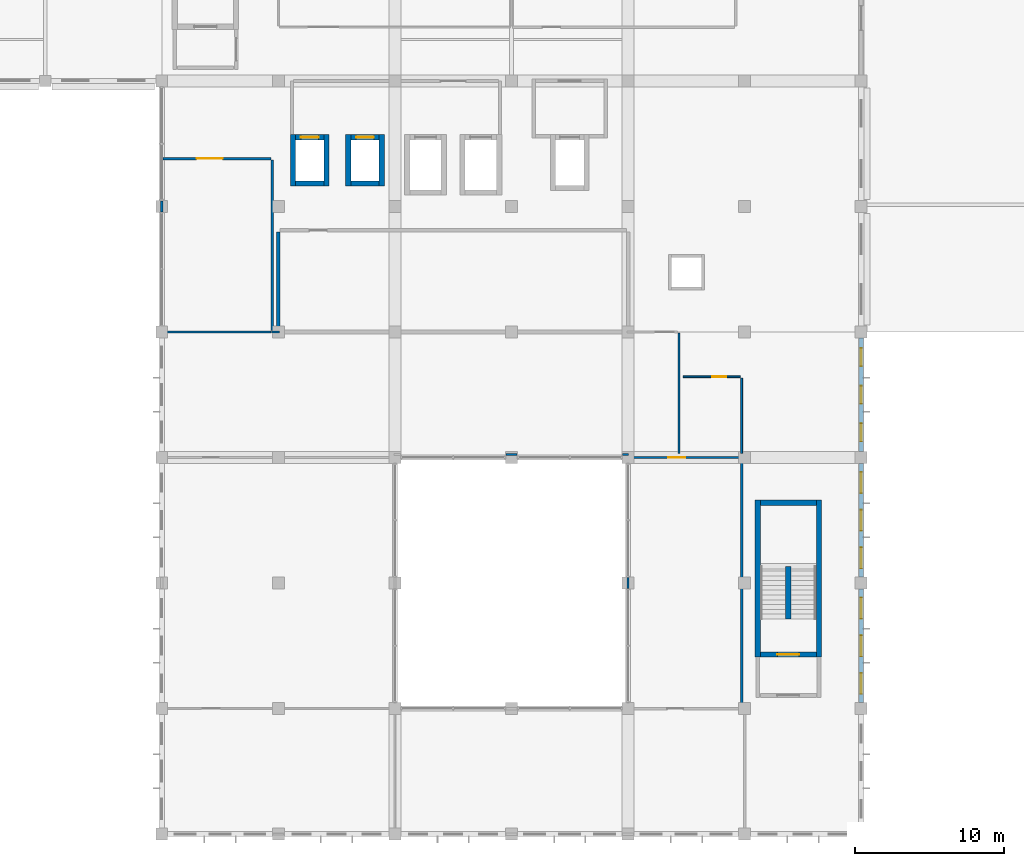
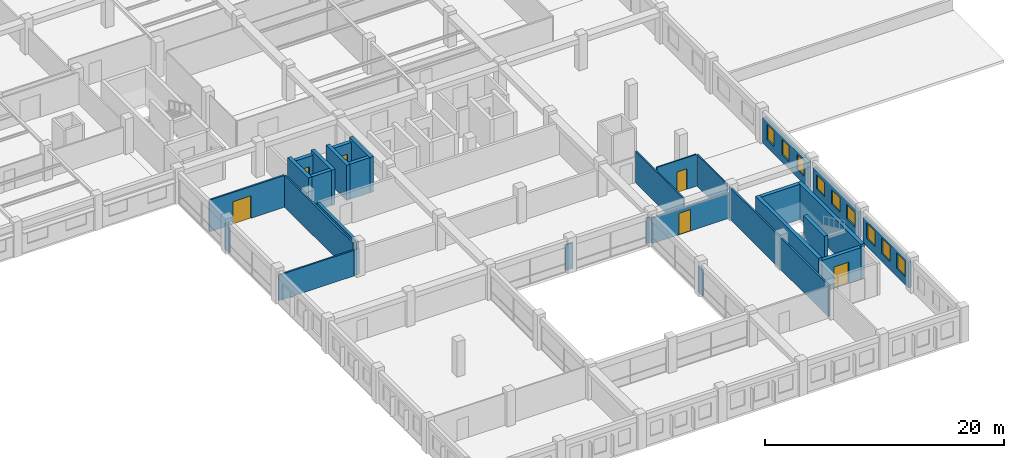
# One storey, part 40 of 50: 30 walls, 9 windows, 6 doors, 15 openings.
"""IFC4 building model written with IfcOpenShell, lengths in metres."""

from ifc_helpers import new_model, si_unit, direction, frame, frame_2d, origin, place, context, subcontext, project, spatial, rectangle, extrude, material, layer, layer_set, type_object, element, fill, save


model = new_model("IFC4")

# Units and contexts
model_context = context("Model", 3, precision=1e-05, world=origin(), true_north=direction((0.0, 1.0)))
body_context = subcontext(model_context, "Body", "Model", "MODEL_VIEW")
ifc_project = project(units=[si_unit("LENGTHUNIT", "METRE"), si_unit("AREAUNIT", "SQUARE_METRE"), si_unit("VOLUMEUNIT", "CUBIC_METRE"), si_unit("PLANEANGLEUNIT", "RADIAN"), si_unit("MASSUNIT", "GRAM", prefix="KILO"), si_unit("THERMODYNAMICTEMPERATUREUNIT", "KELVIN"), si_unit("POWERUNIT", "WATT")], contexts=[model_context])

# Site, building, storey
site_placement = place(None, origin())
site = spatial("IfcSite", under=ifc_project, at=site_placement, CompositionType="ELEMENT")
building_placement = place(site_placement, origin())
building = spatial("IfcBuilding", under=site, at=building_placement, Name="Srebrne Nadtorze General Hospital", CompositionType="ELEMENT")
storey_placement = place(building_placement, frame((0.0, 0.0, 14.39990234375)))
storey = spatial("IfcBuildingStorey", under=building, at=storey_placement, Name="L03", CompositionType="ELEMENT", Elevation=14.39990234375)

# Walls
ifc_material_1 = material(Name="Gypsum Healthcare Partition")
ifc_layer_1 = layer(ifc_material_1, 0.139892578125)
ifc_layer_set_1 = layer_set([ifc_layer_1], Name="Gypsum Healthcare Partition")
wall_type_1 = type_object("IfcWallType", Name="Clinical partition 140", PredefinedType="PARTITIONING", material=ifc_layer_set_1)
wall_1_placement = place(storey_placement, frame((124.43994140625, 25.39990234375, 0.0), z_axis=(0.0, 0.0, 1.0), x_axis=(1.0, 0.0, 0.0)))
element("IfcWall", 1, at=wall_1_placement, inside=storey, type_object=wall_type_1, Name="Outpatient Speech and Audiology Clinic wall WL-INT-L03-1663", PredefinedType="PARTITIONING", context=body_context, shape_type="SweptSolid", body=[
    extrude(rectangle(XDim=0.719970703125, YDim=0.139892578125, at=frame_2d((0.35986328125, 0.0))), origin(), (0.0, 0.0, 1.0), 2.6201171875),
])
wall_2_placement = place(storey_placement, frame((132.239990234375, 25.39990234375, 0.0), z_axis=(0.0, 0.0, 1.0), x_axis=(1.0, 0.0, 0.0)))
element("IfcWall", 2, at=wall_2_placement, inside=storey, type_object=wall_type_1, Name="Outpatient Speech and Audiology Clinic wall WL-INT-L03-1664", PredefinedType="PARTITIONING", context=body_context, shape_type="SweptSolid", body=[
    extrude(rectangle(XDim=0.405029296875, YDim=0.139892578125, at=frame_2d((0.20263671875, 0.0))), origin(), (0.0, 0.0, 1.0), 2.6201171875),
])
wall_3_placement = place(storey_placement, frame((108.7548828125, 33.60009765625, 0.0), z_axis=(0.0, 0.0, 1.0), x_axis=(1.0, 0.0, 0.0)))
element("IfcWall", 3, at=wall_3_placement, inside=storey, type_object=wall_type_1, Name="Outpatient Speech and Audiology Clinic wall WL-INT-L03-1665", PredefinedType="PARTITIONING", context=body_context, shape_type="SweptSolid", body=[
    extrude(rectangle(XDim=0.51513671875, YDim=0.139892578125, at=frame_2d((0.257568359375, 0.0))), origin(), (0.0, 0.0, 1.0), 2.6201171875),
])
wall_4_placement = place(storey_placement, frame((136.0, 25.485107421875, 0.0), z_axis=(0.0, 0.0, 1.0), x_axis=(0.0, 1.0, 0.0)))
element("IfcWall", 4, at=wall_4_placement, inside=storey, type_object=wall_type_1, Name="Outpatient Speech and Audiology Clinic wall WL-INT-L03-1667", PredefinedType="PARTITIONING", context=body_context, shape_type="SweptSolid", body=[
    extrude(rectangle(XDim=8.02978515625, YDim=0.139892578125, at=frame_2d((4.014892578125, 0.0))), origin(), (0.0, 0.0, 1.0), 3.25),
])

# Wall, opening, door
ifc_material_2 = material(Name="Gypsum Healthcare Partition")
ifc_layer_2 = layer(ifc_material_2, 0.159912109375)
ifc_layer_set_2 = layer_set([ifc_layer_2], Name="Gypsum Healthcare Partition")
wall_type_2 = type_object("IfcWallType", Name="Clinical partition 160", PredefinedType="PARTITIONING", material=ifc_layer_set_2)
wall_5_placement = place(storey_placement, frame((132.68505859375, 25.199951171875, 0.0), z_axis=(0.0, 0.0, 1.0), x_axis=(1.0, 0.0, 0.0)))
wall_5 = element("IfcWall", 5, at=wall_5_placement, inside=storey, type_object=wall_type_2, Name="Hospital Aseptic Compounding Laboratory wall WL-INT-L03-1632", PredefinedType="PARTITIONING", context=body_context, shape_type="SweptSolid", body=[
    extrude(rectangle(XDim=7.429931640625, YDim=0.159912109375, at=frame_2d((3.71484375, 0.0))), origin(), (0.0, 0.0, 1.0), 2.6201171875),
])
opening_1_placement = place(wall_5_placement, frame((2.61767578125, 0.0, 0.0)))
opening_1 = element("IfcOpeningElement", 6, at=opening_1_placement, cuts=wall_5, Name="Opening D-L03-0273", PredefinedType="OPENING", context=body_context, shape_type="SweptSolid", body=[
    extrude(rectangle(XDim=1.1201171875, YDim=2.199951171875, at=frame_2d((0.56005859375, 1.10009765625))), frame((0.0, 0.091796875, 0.0), z_axis=(0.0, -1.0, 0.0), x_axis=(1.0, 0.0, 0.0)), (0.0, 0.0, 1.0), 0.183837890625),
])
ifc_material_3 = material(Name="Anodised Aluminium", Category="aluminium")
door_type_1 = type_object("IfcDoorType", Name="Single leaf door 1120x2200", OperationType="NOTDEFINED", PredefinedType="DOOR", material=ifc_material_3)
door_1_placement = place(opening_1_placement, frame((1.1201171875, 0.0, 0.0), z_axis=(0.0, 0.0, 1.0), x_axis=(-1.0, 0.0, 0.0)))
door_1 = element("IfcDoor", 7, at=door_1_placement, inside=storey, type_object=door_type_1, Name="Hospital Aseptic Compounding Laboratory door D-L03-0273", OperationType="SINGLE_SWING_RIGHT", OverallHeight=2.199951171875, OverallWidth=1.1201171875, PredefinedType="DOOR", context=body_context, shape_type="SweptSolid", body=[
    extrude(rectangle(XDim=1.1201171875, YDim=2.199951171875, at=frame_2d((0.56005859375, 1.10009765625))), frame((0.0, 0.02490234375, 0.0), z_axis=(0.0, -1.0, 0.0), x_axis=(1.0, 0.0, 0.0)), (0.0, 0.0, 1.0), 0.050048828125),
])
fill(opening_1, door_1)

# Walls
wall_6_placement = place(storey_placement, frame((132.60009765625, 16.43994140625, 0.0), z_axis=(0.0, 0.0, 1.0), x_axis=(0.0, 1.0, 0.0)))
element("IfcWall", 8, at=wall_6_placement, inside=storey, type_object=wall_type_2, Name="Hospital Aseptic Compounding Laboratory wall WL-INT-L03-1633", PredefinedType="PARTITIONING", context=body_context, shape_type="SweptSolid", body=[
    extrude(rectangle(XDim=0.719970703125, YDim=0.159912109375, at=frame_2d((0.35986328125, 0.0))), origin(), (0.0, 0.0, 1.0), 2.6201171875),
])
wall_7_placement = place(storey_placement, frame((140.199951171875, 8.485107421875, 0.0), z_axis=(0.0, 0.0, 1.0), x_axis=(0.0, 1.0, 0.0)))
element("IfcWall", 9, at=wall_7_placement, inside=storey, type_object=wall_type_2, Name="Hospital Aseptic Compounding Laboratory wall WL-INT-L03-1634", PredefinedType="PARTITIONING", context=body_context, shape_type="SweptSolid", body=[
    extrude(rectangle(XDim=16.6298828125, YDim=0.159912109375, at=frame_2d((8.31494140625, 0.0))), origin(), (0.0, 0.0, 1.0), 3.25),
])

# Wall, opening, door
wall_8_placement = place(storey_placement, frame((101.485107421875, 45.199951171875, 0.0), z_axis=(0.0, 0.0, 1.0), x_axis=(1.0, 0.0, 0.0)))
wall_8 = element("IfcWall", 10, at=wall_8_placement, inside=storey, type_object=wall_type_2, Name="Clinical Electron Microscopy Lab wall WL-INT-L03-1640", PredefinedType="PARTITIONING", context=body_context, shape_type="SweptSolid", body=[
    extrude(rectangle(XDim=7.22998046875, YDim=0.159912109375, at=frame_2d((3.614990234375, 0.0))), origin(), (0.0, 0.0, 1.0), 3.25),
])
opening_2_placement = place(wall_8_placement, frame((2.241943359375, 0.0, 0.0)))
opening_2 = element("IfcOpeningElement", 11, at=opening_2_placement, cuts=wall_8, Name="Opening D-L03-0276", PredefinedType="OPENING", context=body_context, shape_type="SweptSolid", body=[
    extrude(rectangle(XDim=1.75, YDim=2.300048828125, at=frame_2d((0.875, 1.14990234375))), frame((0.0, 0.091796875, 0.0), z_axis=(0.0, -1.0, 0.0), x_axis=(1.0, 0.0, 0.0)), (0.0, 0.0, 1.0), 0.183837890625),
])
ifc_material_4 = material(Name="Anodised Aluminium", Category="aluminium")
door_type_2 = type_object("IfcDoorType", Name="Double leaf door 1750x2300", OperationType="DOUBLE_DOOR_SINGLE_SWING", PredefinedType="DOOR", material=ifc_material_4)
door_2_placement = place(opening_2_placement, frame((1.75, 0.0, 0.0), z_axis=(0.0, 0.0, 1.0), x_axis=(-1.0, 0.0, 0.0)))
door_2 = element("IfcDoor", 12, at=door_2_placement, inside=storey, type_object=door_type_2, Name="Clinical Electron Microscopy Lab door D-L03-0276", OperationType="DOUBLE_DOOR_SINGLE_SWING", OverallHeight=2.300048828125, OverallWidth=1.75, PredefinedType="DOOR", context=body_context, shape_type="SweptSolid", body=[
    extrude(rectangle(XDim=1.75, YDim=2.300048828125, at=frame_2d((0.875, 1.14990234375))), frame((0.0, 0.02490234375, 0.0), z_axis=(0.0, -1.0, 0.0), x_axis=(1.0, 0.0, 0.0)), (0.0, 0.0, 1.0), 0.050048828125),
])
fill(opening_2, door_2)

# Walls
wall_9_placement = place(storey_placement, frame((101.485107421875, 33.60009765625, 0.0), z_axis=(0.0, 0.0, 1.0), x_axis=(1.0, 0.0, 0.0)))
element("IfcWall", 13, at=wall_9_placement, inside=storey, type_object=wall_type_2, Name="Clinical Electron Microscopy Lab wall WL-INT-L03-1641", PredefinedType="PARTITIONING", context=body_context, shape_type="SweptSolid", body=[
    extrude(rectangle(XDim=7.22998046875, YDim=0.159912109375, at=frame_2d((3.614990234375, 0.0))), origin(), (0.0, 0.0, 1.0), 2.6201171875),
])
wall_10_placement = place(storey_placement, frame((101.39990234375, 41.639892578125, 0.0), z_axis=(0.0, 0.0, 1.0), x_axis=(0.0, 1.0, 0.0)))
element("IfcWall", 14, at=wall_10_placement, inside=storey, type_object=wall_type_2, Name="Clinical Electron Microscopy Lab wall WL-INT-L03-1642", PredefinedType="PARTITIONING", context=body_context, shape_type="SweptSolid", body=[
    extrude(rectangle(XDim=0.72021484375, YDim=0.159912109375, at=frame_2d((0.360107421875, 0.0))), origin(), (0.0, 0.0, 1.0), 2.6201171875),
])
wall_11_placement = place(storey_placement, frame((108.800048828125, 33.68505859375, 0.0), z_axis=(0.0, 0.0, 1.0), x_axis=(0.0, 1.0, 0.0)))
element("IfcWall", 15, at=wall_11_placement, inside=storey, type_object=wall_type_2, Name="Clinical Electron Microscopy Lab wall WL-INT-L03-1643", PredefinedType="PARTITIONING", context=body_context, shape_type="SweptSolid", body=[
    extrude(rectangle(XDim=11.429931640625, YDim=0.159912109375, at=frame_2d((5.71484375, 0.0))), origin(), (0.0, 0.0, 1.0), 3.25),
])
ifc_material_5 = material(Name="Gypsum Healthcare Partition")
ifc_layer_3 = layer(ifc_material_5, 0.239990234375)
ifc_layer_set_3 = layer_set([ifc_layer_3], Name="Gypsum Healthcare Partition")
wall_type_3 = type_object("IfcWallType", Name="Corridor fire wall 240", PredefinedType="STANDARD", material=ifc_layer_set_3)
wall_12_placement = place(storey_placement, frame((109.199951171875, 33.7099609375, 0.0), z_axis=(0.0, 0.0, 1.0), x_axis=(0.0, 1.0, 0.0)))
element("IfcWall", 16, at=wall_12_placement, inside=storey, type_object=wall_type_3, Name="Ward Interstitial HVAC Plant Room wall WL-INT-L03-1617", PredefinedType="STANDARD", context=body_context, shape_type="SweptSolid", body=[
    extrude(rectangle(XDim=6.580078125, YDim=0.239990234375, at=frame_2d((3.2900390625, 0.0))), origin(), (0.0, 0.0, 1.0), 3.25),
])

# Wall, opening, door
ifc_material_6 = material(Name="Gypsum Healthcare Partition")
ifc_layer_4 = layer(ifc_material_6, 0.1201171875)
ifc_layer_set_4 = layer_set([ifc_layer_4], Name="Gypsum Healthcare Partition")
wall_type_4 = type_object("IfcWallType", Name="En-suite partition 120", PredefinedType="PARTITIONING", material=ifc_layer_set_4)
wall_13_placement = place(storey_placement, frame((136.284912109375, 30.60009765625, 0.0), z_axis=(0.0, 0.0, 1.0), x_axis=(1.0, 0.0, 0.0)))
wall_13 = element("IfcWall", 17, at=wall_13_placement, inside=storey, type_object=wall_type_4, Name="Staff WC wall WL-INT-L03-1671", PredefinedType="PARTITIONING", context=body_context, shape_type="SweptSolid", body=[
    extrude(rectangle(XDim=3.830078125, YDim=0.1201171875, at=frame_2d((1.9150390625, 0.0))), origin(), (0.0, 0.0, 1.0), 3.25),
])
opening_3_placement = place(wall_13_placement, frame((1.949951171875, 0.0, 0.0)))
opening_3 = element("IfcOpeningElement", 18, at=opening_3_placement, cuts=wall_13, Name="Opening D-L03-0285", PredefinedType="OPENING", context=body_context, shape_type="SweptSolid", body=[
    extrude(rectangle(XDim=0.949951171875, YDim=2.10009765625, at=frame_2d((0.47509765625, 1.050048828125))), frame((0.0, 0.072021484375, 0.0), z_axis=(0.0, -1.0, 0.0), x_axis=(1.0, 0.0, 0.0)), (0.0, 0.0, 1.0), 0.14404296875),
])
ifc_material_7 = material(Name="Anodised Aluminium", Category="aluminium")
door_type_3 = type_object("IfcDoorType", Name="Single leaf door 950x2100", OperationType="NOTDEFINED", PredefinedType="DOOR", material=ifc_material_7)
door_3_placement = place(opening_3_placement, frame((0.949951171875, 0.0, 0.0), z_axis=(0.0, 0.0, 1.0), x_axis=(-1.0, 0.0, 0.0)))
door_3 = element("IfcDoor", 19, at=door_3_placement, inside=storey, type_object=door_type_3, Name="Staff WC door D-L03-0285", OperationType="SINGLE_SWING_LEFT", OverallHeight=2.10009765625, OverallWidth=0.949951171875, PredefinedType="DOOR", context=body_context, shape_type="SweptSolid", body=[
    extrude(rectangle(XDim=0.949951171875, YDim=2.10009765625, at=frame_2d((0.47509765625, 1.050048828125))), frame((0.0, 0.02490234375, 0.0), z_axis=(0.0, -1.0, 0.0), x_axis=(1.0, 0.0, 0.0)), (0.0, 0.0, 1.0), 0.050048828125),
])
fill(opening_3, door_3)

# Wall
wall_14_placement = place(storey_placement, frame((140.199951171875, 25.485107421875, 0.0), z_axis=(0.0, 0.0, 1.0), x_axis=(0.0, 1.0, 0.0)))
element("IfcWall", 20, at=wall_14_placement, inside=storey, type_object=wall_type_4, Name="Staff WC wall WL-INT-L03-1672", PredefinedType="PARTITIONING", context=body_context, shape_type="SweptSolid", body=[
    extrude(rectangle(XDim=5.02978515625, YDim=0.1201171875, at=frame_2d((2.514892578125, 0.0))), origin(), (0.0, 0.0, 1.0), 3.25),
])

# Wall, openings, windows
ifc_material_8 = material(Name="Concrete C40/50 precast", Category="concrete")
ifc_layer_5 = layer(ifc_material_8, 0.300048828125)
ifc_layer_set_5 = layer_set([ifc_layer_5], Name="Concrete C40/50 precast")
wall_type_5 = type_object("IfcWallType", Name="Limestone precast wall 300", PredefinedType="STANDARD", material=ifc_layer_set_5)
wall_15_placement = place(storey_placement, frame((148.199951171875, 8.800048828125, 0.0), z_axis=(0.0, 0.0, 1.0), x_axis=(0.0, 1.0, 0.0)))
wall_15 = element("IfcWall", 21, at=wall_15_placement, inside=storey, type_object=wall_type_5, Name="Exterior wall WL-ENV-L03-0334", PredefinedType="STANDARD", context=body_context, shape_type="SweptSolid", body=[
    extrude(rectangle(XDim=7.599853515625, YDim=0.300048828125, at=frame_2d((3.7998046875, 0.0))), origin(), (0.0, 0.0, 1.0), 2.6201171875),
])
opening_4_placement = place(wall_15_placement, frame((0.580078125, 0.0, 0.800048828125)))
opening_4 = element("IfcOpeningElement", 22, at=opening_4_placement, cuts=wall_15, Name="Opening WN-L03-0488", PredefinedType="OPENING", context=body_context, shape_type="SweptSolid", body=[
    extrude(rectangle(XDim=1.39990234375, YDim=1.60009765625, at=frame_2d((0.699951171875, 0.800048828125))), frame((0.0, 0.162109375, 0.0), z_axis=(0.0, -1.0, 0.0), x_axis=(1.0, 0.0, 0.0)), (0.0, 0.0, 1.0), 0.323974609375),
])
opening_5_placement = place(wall_15_placement, frame((3.10009765625, 0.0, 0.800048828125)))
opening_5 = element("IfcOpeningElement", 23, at=opening_5_placement, cuts=wall_15, Name="Opening WN-L03-0489", PredefinedType="OPENING", context=body_context, shape_type="SweptSolid", body=[
    extrude(rectangle(XDim=1.39990234375, YDim=1.60009765625, at=frame_2d((0.699951171875, 0.800048828125))), frame((0.0, 0.162109375, 0.0), z_axis=(0.0, -1.0, 0.0), x_axis=(1.0, 0.0, 0.0)), (0.0, 0.0, 1.0), 0.323974609375),
])
opening_6_placement = place(wall_15_placement, frame((5.6201171875, 0.0, 0.800048828125)))
opening_6 = element("IfcOpeningElement", 24, at=opening_6_placement, cuts=wall_15, Name="Opening WN-L03-0490", PredefinedType="OPENING", context=body_context, shape_type="SweptSolid", body=[
    extrude(rectangle(XDim=1.39990234375, YDim=1.60009765625, at=frame_2d((0.699951171875, 0.800048828125))), frame((0.0, 0.162109375, 0.0), z_axis=(0.0, -1.0, 0.0), x_axis=(1.0, 0.0, 0.0)), (0.0, 0.0, 1.0), 0.323974609375),
])
ifc_material_9 = material(Name="Triple Low-E Glazing", Category="glass")
window_type_1 = type_object("IfcWindowType", Name="Punched clinical window 1400x1600", PartitioningType="SINGLE_PANEL", PredefinedType="WINDOW", material=ifc_material_9)
window_1_placement = place(opening_4_placement, origin())
window_1 = element("IfcWindow", 25, at=window_1_placement, inside=storey, type_object=window_type_1, Name="Clinical window WN-L03-0488", OverallHeight=1.60009765625, OverallWidth=1.39990234375, PartitioningType="SINGLE_PANEL", PredefinedType="WINDOW", context=body_context, shape_type="SweptSolid", body=[
    extrude(rectangle(XDim=1.39990234375, YDim=1.60009765625, at=frame_2d((0.699951171875, 0.800048828125))), frame((0.0, 0.030029296875, 0.0), z_axis=(0.0, -1.0, 0.0), x_axis=(1.0, 0.0, 0.0)), (0.0, 0.0, 1.0), 0.06005859375),
])
fill(opening_4, window_1)
window_2_placement = place(opening_5_placement, origin())
window_2 = element("IfcWindow", 26, at=window_2_placement, inside=storey, type_object=window_type_1, Name="Clinical window WN-L03-0489", OverallHeight=1.60009765625, OverallWidth=1.39990234375, PartitioningType="SINGLE_PANEL", PredefinedType="WINDOW", context=body_context, shape_type="SweptSolid", body=[
    extrude(rectangle(XDim=1.39990234375, YDim=1.60009765625, at=frame_2d((0.699951171875, 0.800048828125))), frame((0.0, 0.030029296875, 0.0), z_axis=(0.0, -1.0, 0.0), x_axis=(1.0, 0.0, 0.0)), (0.0, 0.0, 1.0), 0.06005859375),
])
fill(opening_5, window_2)
window_3_placement = place(opening_6_placement, origin())
window_3 = element("IfcWindow", 27, at=window_3_placement, inside=storey, type_object=window_type_1, Name="Clinical window WN-L03-0490", OverallHeight=1.60009765625, OverallWidth=1.39990234375, PartitioningType="SINGLE_PANEL", PredefinedType="WINDOW", context=body_context, shape_type="SweptSolid", body=[
    extrude(rectangle(XDim=1.39990234375, YDim=1.60009765625, at=frame_2d((0.699951171875, 0.800048828125))), frame((0.0, 0.030029296875, 0.0), z_axis=(0.0, -1.0, 0.0), x_axis=(1.0, 0.0, 0.0)), (0.0, 0.0, 1.0), 0.06005859375),
])
fill(opening_6, window_3)

wall_16_placement = place(storey_placement, frame((148.199951171875, 17.199951171875, 0.0), z_axis=(0.0, 0.0, 1.0), x_axis=(0.0, 1.0, 0.0)))
wall_16 = element("IfcWall", 28, at=wall_16_placement, inside=storey, type_object=wall_type_5, Name="Exterior wall WL-ENV-L03-0335", PredefinedType="STANDARD", context=body_context, shape_type="SweptSolid", body=[
    extrude(rectangle(XDim=7.60009765625, YDim=0.300048828125, at=frame_2d((3.800048828125, 0.0))), origin(), (0.0, 0.0, 1.0), 2.6201171875),
])
opening_7_placement = place(wall_16_placement, frame((0.580078125, 0.0, 0.800048828125)))
opening_7 = element("IfcOpeningElement", 29, at=opening_7_placement, cuts=wall_16, Name="Opening WN-L03-0491", PredefinedType="OPENING", context=body_context, shape_type="SweptSolid", body=[
    extrude(rectangle(XDim=1.39990234375, YDim=1.449951171875, at=frame_2d((0.699951171875, 0.72509765625))), frame((0.0, 0.162109375, 0.0), z_axis=(0.0, -1.0, 0.0), x_axis=(1.0, 0.0, 0.0)), (0.0, 0.0, 1.0), 0.323974609375),
])
opening_8_placement = place(wall_16_placement, frame((3.10009765625, 0.0, 0.800048828125)))
opening_8 = element("IfcOpeningElement", 30, at=opening_8_placement, cuts=wall_16, Name="Opening WN-L03-0492", PredefinedType="OPENING", context=body_context, shape_type="SweptSolid", body=[
    extrude(rectangle(XDim=1.39990234375, YDim=1.449951171875, at=frame_2d((0.699951171875, 0.72509765625))), frame((0.0, 0.162109375, 0.0), z_axis=(0.0, -1.0, 0.0), x_axis=(1.0, 0.0, 0.0)), (0.0, 0.0, 1.0), 0.323974609375),
])
opening_9_placement = place(wall_16_placement, frame((5.6201171875, 0.0, 0.800048828125)))
opening_9 = element("IfcOpeningElement", 31, at=opening_9_placement, cuts=wall_16, Name="Opening WN-L03-0493", PredefinedType="OPENING", context=body_context, shape_type="SweptSolid", body=[
    extrude(rectangle(XDim=1.39990234375, YDim=1.449951171875, at=frame_2d((0.699951171875, 0.72509765625))), frame((0.0, 0.162109375, 0.0), z_axis=(0.0, -1.0, 0.0), x_axis=(1.0, 0.0, 0.0)), (0.0, 0.0, 1.0), 0.323974609375),
])
ifc_material_10 = material(Name="Triple Low-E Glazing", Category="glass")
window_type_2 = type_object("IfcWindowType", Name="Punched clinical window 1400x1450", PartitioningType="SINGLE_PANEL", PredefinedType="WINDOW", material=ifc_material_10)
window_4_placement = place(opening_7_placement, origin())
window_4 = element("IfcWindow", 32, at=window_4_placement, inside=storey, type_object=window_type_2, Name="Clinical window WN-L03-0491", OverallHeight=1.449951171875, OverallWidth=1.39990234375, PartitioningType="SINGLE_PANEL", PredefinedType="WINDOW", context=body_context, shape_type="SweptSolid", body=[
    extrude(rectangle(XDim=1.39990234375, YDim=1.449951171875, at=frame_2d((0.699951171875, 0.72509765625))), frame((0.0, 0.030029296875, 0.0), z_axis=(0.0, -1.0, 0.0), x_axis=(1.0, 0.0, 0.0)), (0.0, 0.0, 1.0), 0.06005859375),
])
fill(opening_7, window_4)
window_5_placement = place(opening_8_placement, origin())
window_5 = element("IfcWindow", 33, at=window_5_placement, inside=storey, type_object=window_type_2, Name="Clinical window WN-L03-0492", OverallHeight=1.449951171875, OverallWidth=1.39990234375, PartitioningType="SINGLE_PANEL", PredefinedType="WINDOW", context=body_context, shape_type="SweptSolid", body=[
    extrude(rectangle(XDim=1.39990234375, YDim=1.449951171875, at=frame_2d((0.699951171875, 0.72509765625))), frame((0.0, 0.030029296875, 0.0), z_axis=(0.0, -1.0, 0.0), x_axis=(1.0, 0.0, 0.0)), (0.0, 0.0, 1.0), 0.06005859375),
])
fill(opening_8, window_5)
window_6_placement = place(opening_9_placement, origin())
window_6 = element("IfcWindow", 34, at=window_6_placement, inside=storey, type_object=window_type_2, Name="Clinical window WN-L03-0493", OverallHeight=1.449951171875, OverallWidth=1.39990234375, PartitioningType="SINGLE_PANEL", PredefinedType="WINDOW", context=body_context, shape_type="SweptSolid", body=[
    extrude(rectangle(XDim=1.39990234375, YDim=1.449951171875, at=frame_2d((0.699951171875, 0.72509765625))), frame((0.0, 0.030029296875, 0.0), z_axis=(0.0, -1.0, 0.0), x_axis=(1.0, 0.0, 0.0)), (0.0, 0.0, 1.0), 0.06005859375),
])
fill(opening_9, window_6)

wall_17_placement = place(storey_placement, frame((148.199951171875, 25.60009765625, 0.0), z_axis=(0.0, 0.0, 1.0), x_axis=(0.0, 1.0, 0.0)))
wall_17 = element("IfcWall", 35, at=wall_17_placement, inside=storey, type_object=wall_type_5, Name="Exterior wall WL-ENV-L03-0336", PredefinedType="STANDARD", context=body_context, shape_type="SweptSolid", body=[
    extrude(rectangle(XDim=7.599853515625, YDim=0.300048828125, at=frame_2d((3.7998046875, 0.0))), origin(), (0.0, 0.0, 1.0), 2.6201171875),
])
opening_10_placement = place(wall_17_placement, frame((0.679931640625, 0.0, 0.800048828125)))
opening_10 = element("IfcOpeningElement", 36, at=opening_10_placement, cuts=wall_17, Name="Opening WN-L03-0494", PredefinedType="OPENING", context=body_context, shape_type="SweptSolid", body=[
    extrude(rectangle(XDim=1.199951171875, YDim=1.550048828125, at=frame_2d((0.60009765625, 0.77490234375))), frame((0.0, 0.162109375, 0.0), z_axis=(0.0, -1.0, 0.0), x_axis=(1.0, 0.0, 0.0)), (0.0, 0.0, 1.0), 0.323974609375),
])
opening_11_placement = place(wall_17_placement, frame((3.199951171875, 0.0, 0.800048828125)))
opening_11 = element("IfcOpeningElement", 37, at=opening_11_placement, cuts=wall_17, Name="Opening WN-L03-0495", PredefinedType="OPENING", context=body_context, shape_type="SweptSolid", body=[
    extrude(rectangle(XDim=1.199951171875, YDim=1.550048828125, at=frame_2d((0.60009765625, 0.77490234375))), frame((0.0, 0.162109375, 0.0), z_axis=(0.0, -1.0, 0.0), x_axis=(1.0, 0.0, 0.0)), (0.0, 0.0, 1.0), 0.323974609375),
])
opening_12_placement = place(wall_17_placement, frame((5.719970703125, 0.0, 0.800048828125)))
opening_12 = element("IfcOpeningElement", 38, at=opening_12_placement, cuts=wall_17, Name="Opening WN-L03-0496", PredefinedType="OPENING", context=body_context, shape_type="SweptSolid", body=[
    extrude(rectangle(XDim=1.199951171875, YDim=1.550048828125, at=frame_2d((0.60009765625, 0.77490234375))), frame((0.0, 0.162109375, 0.0), z_axis=(0.0, -1.0, 0.0), x_axis=(1.0, 0.0, 0.0)), (0.0, 0.0, 1.0), 0.323974609375),
])
ifc_material_11 = material(Name="Triple Low-E Glazing", Category="glass")
window_type_3 = type_object("IfcWindowType", Name="Punched clinical window 1200x1550", PartitioningType="SINGLE_PANEL", PredefinedType="WINDOW", material=ifc_material_11)
window_7_placement = place(opening_10_placement, origin())
window_7 = element("IfcWindow", 39, at=window_7_placement, inside=storey, type_object=window_type_3, Name="Clinical window WN-L03-0494", OverallHeight=1.550048828125, OverallWidth=1.199951171875, PartitioningType="SINGLE_PANEL", PredefinedType="WINDOW", context=body_context, shape_type="SweptSolid", body=[
    extrude(rectangle(XDim=1.199951171875, YDim=1.550048828125, at=frame_2d((0.60009765625, 0.77490234375))), frame((0.0, 0.030029296875, 0.0), z_axis=(0.0, -1.0, 0.0), x_axis=(1.0, 0.0, 0.0)), (0.0, 0.0, 1.0), 0.06005859375),
])
fill(opening_10, window_7)
window_8_placement = place(opening_11_placement, origin())
window_8 = element("IfcWindow", 40, at=window_8_placement, inside=storey, type_object=window_type_3, Name="Clinical window WN-L03-0495", OverallHeight=1.550048828125, OverallWidth=1.199951171875, PartitioningType="SINGLE_PANEL", PredefinedType="WINDOW", context=body_context, shape_type="SweptSolid", body=[
    extrude(rectangle(XDim=1.199951171875, YDim=1.550048828125, at=frame_2d((0.60009765625, 0.77490234375))), frame((0.0, 0.030029296875, 0.0), z_axis=(0.0, -1.0, 0.0), x_axis=(1.0, 0.0, 0.0)), (0.0, 0.0, 1.0), 0.06005859375),
])
fill(opening_11, window_8)
window_9_placement = place(opening_12_placement, origin())
window_9 = element("IfcWindow", 41, at=window_9_placement, inside=storey, type_object=window_type_3, Name="Clinical window WN-L03-0496", OverallHeight=1.550048828125, OverallWidth=1.199951171875, PartitioningType="SINGLE_PANEL", PredefinedType="WINDOW", context=body_context, shape_type="SweptSolid", body=[
    extrude(rectangle(XDim=1.199951171875, YDim=1.550048828125, at=frame_2d((0.60009765625, 0.77490234375))), frame((0.0, 0.030029296875, 0.0), z_axis=(0.0, -1.0, 0.0), x_axis=(1.0, 0.0, 0.0)), (0.0, 0.0, 1.0), 0.06005859375),
])
fill(opening_12, window_9)

# Walls
ifc_material_12 = material(Name="Concrete C40/50", Category="concrete")
ifc_layer_6 = layer(ifc_material_12, 0.35009765625)
ifc_layer_set_6 = layer_set([ifc_layer_6], Name="Concrete C40/50")
wall_type_6 = type_object("IfcWallType", Name="Shear core wall 350", PredefinedType="SHEAR", material=ifc_layer_set_6)
for number, where, z_axis, x_axis, name in (
    (42, (141.27490234375, 11.85009765625, 0.0), (0.0, 0.0, 1.0), (0.0, 1.0, 0.0), "Stair core wall ST-08 WL-INT-L03-0281"),
    (43, (145.375, 11.85009765625, 0.0), (0.0, 0.0, 1.0), (0.0, 1.0, 0.0), "Stair core wall ST-08 WL-INT-L03-0282"),
):
    element("IfcWall", number, at=place(storey_placement, frame(where, z_axis=z_axis, x_axis=x_axis)), inside=storey, type_object=wall_type_6, Name=name, PredefinedType="SHEAR", context=body_context, shape_type="SweptSolid", body=[
        extrude(rectangle(XDim=10.5, YDim=0.35009765625, at=frame_2d((5.25, 0.0))), origin(), (0.0, 0.0, 1.0), 3.60009765625),
    ])
wall_18_placement = place(storey_placement, frame((141.449951171875, 22.175048828125, 0.0), z_axis=(0.0, 0.0, 1.0), x_axis=(1.0, 0.0, 0.0)))
element("IfcWall", 44, at=wall_18_placement, inside=storey, type_object=wall_type_6, Name="Stair core wall ST-08 WL-INT-L03-0283", PredefinedType="SHEAR", context=body_context, shape_type="SweptSolid", body=[
    extrude(rectangle(XDim=3.75, YDim=0.35009765625, at=frame_2d((1.875, 0.0))), origin(), (0.0, 0.0, 1.0), 3.60009765625),
])

# Wall, opening, door
wall_19_placement = place(storey_placement, frame((141.449951171875, 12.02490234375, 0.0), z_axis=(0.0, 0.0, 1.0), x_axis=(1.0, 0.0, 0.0)))
wall_19 = element("IfcWall", 45, at=wall_19_placement, inside=storey, type_object=wall_type_6, Name="Stairwell fire wall ST-08 WL-INT-L03-0284", PredefinedType="SHEAR", context=body_context, shape_type="SweptSolid", body=[
    extrude(rectangle(XDim=3.75, YDim=0.35009765625, at=frame_2d((1.875, 0.0))), origin(), (0.0, 0.0, 1.0), 3.27001953125),
])
opening_13_placement = place(wall_19_placement, frame((1.14990234375, 0.0, 0.0)))
opening_13 = element("IfcOpeningElement", 46, at=opening_13_placement, cuts=wall_19, Name="Opening D-L03-0071", PredefinedType="OPENING", context=body_context, shape_type="SweptSolid", body=[
    extrude(rectangle(XDim=1.449951171875, YDim=2.199951171875, at=frame_2d((0.72509765625, 1.10009765625))), frame((0.0, 0.18701171875, 0.0), z_axis=(0.0, -1.0, 0.0), x_axis=(1.0, 0.0, 0.0)), (0.0, 0.0, 1.0), 0.3740234375),
])
ifc_material_13 = material(Name="Anodised Aluminium", Category="aluminium")
door_type_4 = type_object("IfcDoorType", Name="Double leaf door 1450x2200", OperationType="DOUBLE_DOOR_SINGLE_SWING", PredefinedType="DOOR", material=ifc_material_13)
door_4_placement = place(opening_13_placement, origin())
door_4 = element("IfcDoor", 47, at=door_4_placement, inside=storey, type_object=door_type_4, Name="Protected stair door ST-08 D-L03-0071", OperationType="DOUBLE_DOOR_SINGLE_SWING", OverallHeight=2.199951171875, OverallWidth=1.449951171875, PredefinedType="DOOR", context=body_context, shape_type="SweptSolid", body=[
    extrude(rectangle(XDim=1.449951171875, YDim=2.199951171875, at=frame_2d((0.72509765625, 1.10009765625))), frame((0.0, 0.02490234375, 0.0), z_axis=(0.0, -1.0, 0.0), x_axis=(1.0, 0.0, 0.0)), (0.0, 0.0, 1.0), 0.050048828125),
])
fill(opening_13, door_4)

# Walls
wall_20_placement = place(storey_placement, frame((143.324951171875, 14.39990234375, 0.0), z_axis=(0.0, 0.0, 1.0), x_axis=(0.0, 1.0, 0.0)))
element("IfcWall", 48, at=wall_20_placement, inside=storey, type_object=wall_type_6, Name="Stair spine wall ST-08 WL-INT-L03-0288", PredefinedType="SHEAR", context=body_context, shape_type="SweptSolid", body=[
    extrude(rectangle(XDim=3.52001953125, YDim=0.35009765625, at=frame_2d((1.760009765625, 0.0))), origin(), (0.0, 0.0, 1.0), 3.60009765625),
])
for number, where, z_axis, x_axis, name in (
    (49, (110.175048828125, 43.360107421875, 0.0), (0.0, 0.0, 1.0), (0.0, 1.0, 0.0), "Lift shaft wall LP-03 WL-INT-L03-0714"),
    (50, (112.425048828125, 43.360107421875, 0.0), (0.0, 0.0, 1.0), (0.0, 1.0, 0.0), "Lift shaft wall LP-03 WL-INT-L03-0715"),
):
    element("IfcWall", number, at=place(storey_placement, frame(where, z_axis=z_axis, x_axis=x_axis)), inside=storey, type_object=wall_type_6, Name=name, PredefinedType="SHEAR", context=body_context, shape_type="SweptSolid", body=[
        extrude(rectangle(XDim=3.449951171875, YDim=0.35009765625, at=frame_2d((1.72509765625, 0.0))), origin(), (0.0, 0.0, 1.0), 3.60009765625),
    ])
wall_21_placement = place(storey_placement, frame((110.35009765625, 43.534912109375, 0.0), z_axis=(0.0, 0.0, 1.0), x_axis=(1.0, 0.0, 0.0)))
element("IfcWall", 51, at=wall_21_placement, inside=storey, type_object=wall_type_6, Name="Lift shaft back wall LP-03 WL-INT-L03-0716", PredefinedType="SHEAR", context=body_context, shape_type="SweptSolid", body=[
    extrude(rectangle(XDim=1.89990234375, YDim=0.35009765625, at=frame_2d((0.949951171875, 0.0))), origin(), (0.0, 0.0, 1.0), 3.60009765625),
])

# Wall, opening, door
wall_22_placement = place(storey_placement, frame((110.35009765625, 46.635009765625, 0.0), z_axis=(0.0, 0.0, 1.0), x_axis=(1.0, 0.0, 0.0)))
wall_22 = element("IfcWall", 52, at=wall_22_placement, inside=storey, type_object=wall_type_6, Name="Lift shaft front wall LP-03 WL-INT-L03-0717", PredefinedType="SHEAR", context=body_context, shape_type="SweptSolid", body=[
    extrude(rectangle(XDim=1.89990234375, YDim=0.35009765625, at=frame_2d((0.949951171875, 0.0))), origin(), (0.0, 0.0, 1.0), 3.27001953125),
])
opening_14_placement = place(wall_22_placement, frame((0.35009765625, 0.0, 0.0)))
opening_14 = element("IfcOpeningElement", 53, at=opening_14_placement, cuts=wall_22, Name="Opening LD-L03-063", PredefinedType="OPENING", context=body_context, shape_type="SweptSolid", body=[
    extrude(rectangle(XDim=1.199951171875, YDim=2.199951171875, at=frame_2d((0.60009765625, 1.10009765625))), frame((0.0, 0.18701171875, 0.0), z_axis=(0.0, -1.0, 0.0), x_axis=(1.0, 0.0, 0.0)), (0.0, 0.0, 1.0), 0.3740234375),
])
ifc_material_14 = material(Name="Anodised Aluminium", Category="aluminium")
door_type_5 = type_object("IfcDoorType", Name="Sliding lift door 1200x2200", OperationType="SLIDING_TO_LEFT", PredefinedType="DOOR", material=ifc_material_14)
door_5_placement = place(opening_14_placement, origin())
door_5 = element("IfcDoor", 54, at=door_5_placement, inside=storey, type_object=door_type_5, Name="Lift Landing Door LD-L03-063", OperationType="SLIDING_TO_LEFT", OverallHeight=2.199951171875, OverallWidth=1.199951171875, PredefinedType="DOOR", context=body_context, shape_type="SweptSolid", body=[
    extrude(rectangle(XDim=1.199951171875, YDim=2.199951171875, at=frame_2d((0.60009765625, 1.10009765625))), frame((0.0, 0.02490234375, 0.0), z_axis=(0.0, -1.0, 0.0), x_axis=(1.0, 0.0, 0.0)), (0.0, 0.0, 1.0), 0.050048828125),
])
fill(opening_14, door_5)

# Walls
for number, where, z_axis, x_axis, name in (
    (55, (113.875, 43.360107421875, 0.0), (0.0, 0.0, 1.0), (0.0, 1.0, 0.0), "Lift shaft wall LP-04 WL-INT-L03-0746"),
    (56, (116.125, 43.360107421875, 0.0), (0.0, 0.0, 1.0), (0.0, 1.0, 0.0), "Lift shaft wall LP-04 WL-INT-L03-0747"),
):
    element("IfcWall", number, at=place(storey_placement, frame(where, z_axis=z_axis, x_axis=x_axis)), inside=storey, type_object=wall_type_6, Name=name, PredefinedType="SHEAR", context=body_context, shape_type="SweptSolid", body=[
        extrude(rectangle(XDim=3.449951171875, YDim=0.35009765625, at=frame_2d((1.72509765625, 0.0))), origin(), (0.0, 0.0, 1.0), 3.60009765625),
    ])
wall_23_placement = place(storey_placement, frame((114.050048828125, 43.534912109375, 0.0), z_axis=(0.0, 0.0, 1.0), x_axis=(1.0, 0.0, 0.0)))
element("IfcWall", 57, at=wall_23_placement, inside=storey, type_object=wall_type_6, Name="Lift shaft back wall LP-04 WL-INT-L03-0748", PredefinedType="SHEAR", context=body_context, shape_type="SweptSolid", body=[
    extrude(rectangle(XDim=1.89990234375, YDim=0.35009765625, at=frame_2d((0.949951171875, 0.0))), origin(), (0.0, 0.0, 1.0), 3.60009765625),
])

# Wall, opening, door
wall_24_placement = place(storey_placement, frame((114.050048828125, 46.635009765625, 0.0), z_axis=(0.0, 0.0, 1.0), x_axis=(1.0, 0.0, 0.0)))
wall_24 = element("IfcWall", 58, at=wall_24_placement, inside=storey, type_object=wall_type_6, Name="Lift shaft front wall LP-04 WL-INT-L03-0749", PredefinedType="SHEAR", context=body_context, shape_type="SweptSolid", body=[
    extrude(rectangle(XDim=1.89990234375, YDim=0.35009765625, at=frame_2d((0.949951171875, 0.0))), origin(), (0.0, 0.0, 1.0), 3.27001953125),
])
opening_15_placement = place(wall_24_placement, frame((0.35009765625, 0.0, 0.0)))
opening_15 = element("IfcOpeningElement", 59, at=opening_15_placement, cuts=wall_24, Name="Opening LD-L03-071", PredefinedType="OPENING", context=body_context, shape_type="SweptSolid", body=[
    extrude(rectangle(XDim=1.199951171875, YDim=2.199951171875, at=frame_2d((0.60009765625, 1.10009765625))), frame((0.0, 0.18701171875, 0.0), z_axis=(0.0, -1.0, 0.0), x_axis=(1.0, 0.0, 0.0)), (0.0, 0.0, 1.0), 0.3740234375),
])
door_6_placement = place(opening_15_placement, origin())
door_6 = element("IfcDoor", 60, at=door_6_placement, inside=storey, type_object=door_type_5, Name="Lift Landing Door LD-L03-071", OperationType="SLIDING_TO_LEFT", OverallHeight=2.199951171875, OverallWidth=1.199951171875, PredefinedType="DOOR", context=body_context, shape_type="SweptSolid", body=[
    extrude(rectangle(XDim=1.199951171875, YDim=2.199951171875, at=frame_2d((0.60009765625, 1.10009765625))), frame((0.0, 0.02490234375, 0.0), z_axis=(0.0, -1.0, 0.0), x_axis=(1.0, 0.0, 0.0)), (0.0, 0.0, 1.0), 0.050048828125),
])
fill(opening_15, door_6)

save(model, "model.ifc")
